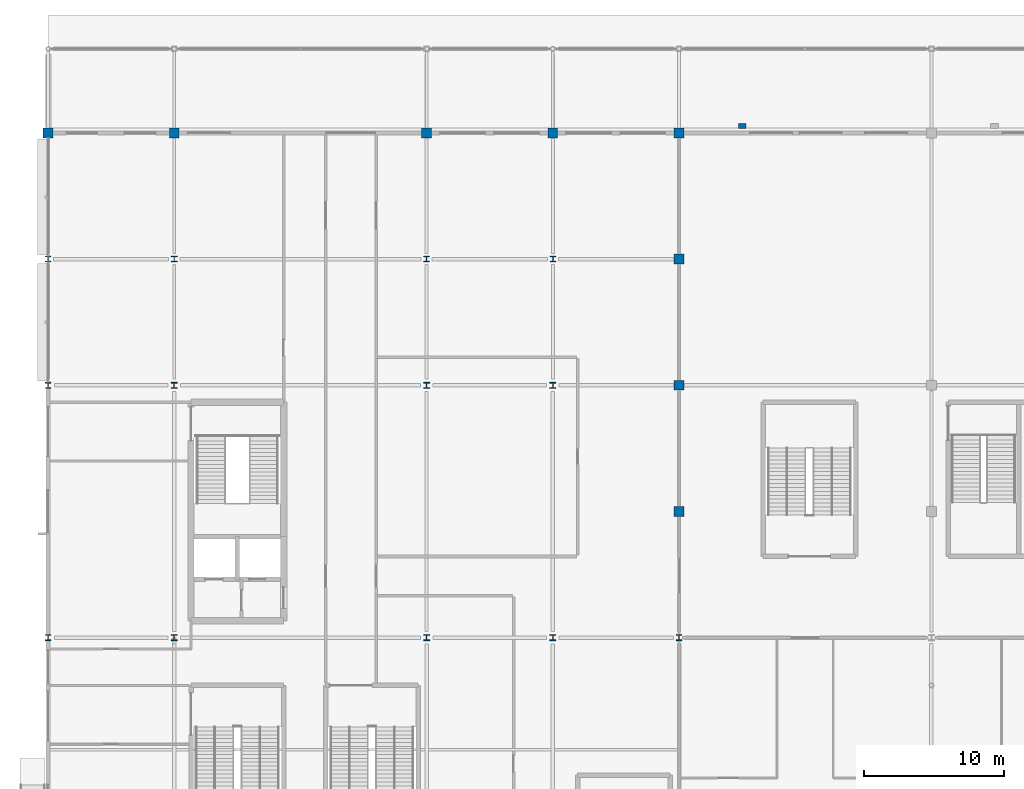
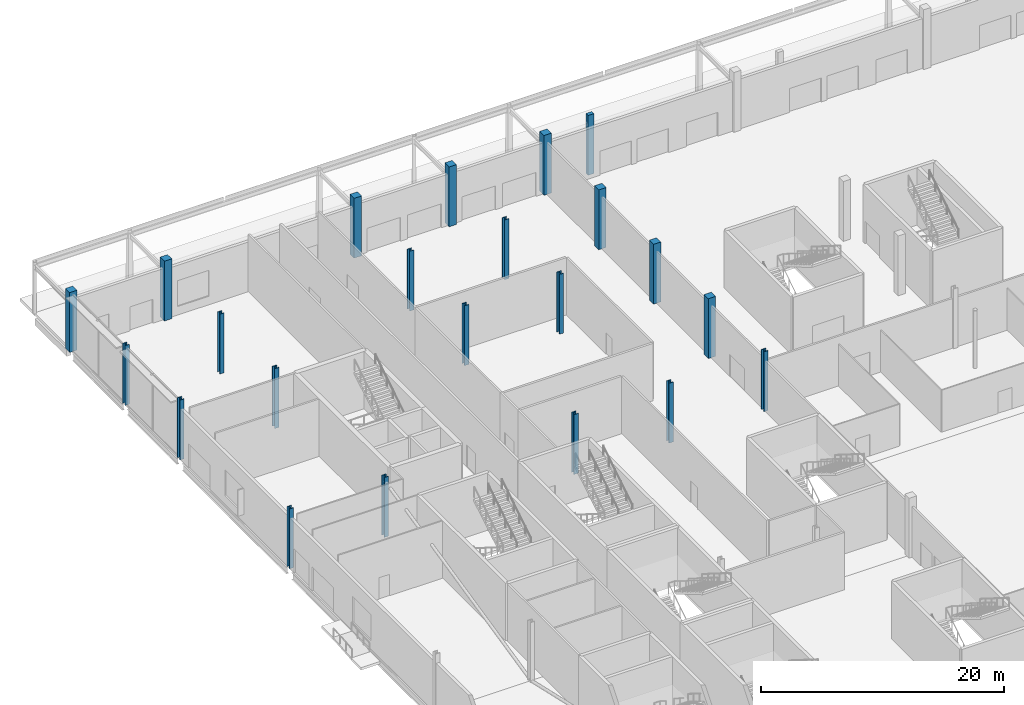
# One storey, part 6 of 84: 22 columns.
"""IFC4 building model written with IfcOpenShell, lengths in metres."""

from ifc_helpers import new_model, si_unit, direction, frame, origin, origin_2d, place, context, subcontext, project, spatial, rectangle, i_section, extrude, material, material_profile, profile_set, type_object, element, save


model = new_model("IFC4")

# Units and contexts
model_context = context("Model", 3, precision=1e-05, world=origin(), true_north=direction((0.0, 1.0)))
body_context = subcontext(model_context, "Body", "Model", "MODEL_VIEW")
ifc_project = project(units=[si_unit("LENGTHUNIT", "METRE"), si_unit("AREAUNIT", "SQUARE_METRE"), si_unit("VOLUMEUNIT", "CUBIC_METRE"), si_unit("PLANEANGLEUNIT", "RADIAN"), si_unit("MASSUNIT", "GRAM", prefix="KILO")], contexts=[model_context])

# Site, building, storey
site_placement = place(None, origin())
site = spatial("IfcSite", under=ifc_project, at=site_placement, CompositionType="ELEMENT")
building_placement = place(site_placement, origin())
building = spatial("IfcBuilding", under=site, at=building_placement, Name="Kisiwana Market Hall", CompositionType="ELEMENT")
storey_placement = place(building_placement, origin())
storey = spatial("IfcBuildingStorey", under=building, at=storey_placement, Name="L00", CompositionType="ELEMENT", Elevation=0.0)

# Columns
ifc_material_1 = material(Name="Concrete C40/50", Category="concrete")
ifc_material_profile_1 = material_profile(ifc_material_1, rectangle(XDim=0.699951171875, YDim=0.699951171875, at=origin_2d()), Name="RC 700x700")
ifc_profile_set_1 = profile_set([ifc_material_profile_1], Name="Concrete C40/50")
column_type_1 = type_object("IfcColumnType", Name="COL-RC-POD-700", PredefinedType="COLUMN", material=ifc_profile_set_1)
for number, where, z_axis, x_axis, name in (
    (1, (0.0, 120.0, 0.0), (0.0, 0.0, 1.0), (1.0, 0.0, 0.0), "Column Q/1 (L00) C-0193"),
    (2, (9.0, 120.0, 0.0), (0.0, 0.0, 1.0), (1.0, 0.0, 0.0), "Column Q/2 (L00) C-0202"),
    (3, (27.0, 120.0, 0.0), (0.0, 0.0, 1.0), (1.0, 0.0, 0.0), "Column Q/4 (L00) C-0212"),
    (4, (36.0, 120.0, 0.0), (0.0, 0.0, 1.0), (1.0, 0.0, 0.0), "Column Q/5 (L00) C-0221"),
    (5, (45.0, 93.0, 0.0), (0.0, 0.0, 1.0), (1.0, 0.0, 0.0), "Column M/6 (L00) C-0230"),
    (6, (45.0, 102.0, 0.0), (0.0, 0.0, 1.0), (1.0, 0.0, 0.0), "Column N/6 (L00) C-0231"),
    (7, (45.0, 111.0, 0.0), (0.0, 0.0, 1.0), (1.0, 0.0, 0.0), "Column P/6 (L00) C-0232"),
    (8, (45.0, 120.0, 0.0), (0.0, 0.0, 1.0), (1.0, 0.0, 0.0), "Column Q/6 (L00) C-0233"),
):
    element("IfcColumn", number, at=place(storey_placement, frame(where, z_axis=z_axis, x_axis=x_axis)), inside=storey, type_object=column_type_1, Name=name, PredefinedType="COLUMN", context=body_context, shape_type="SweptSolid", body=[
        extrude(rectangle(XDim=0.699951171875, YDim=0.699951171875, at=origin_2d()), origin(), (0.0, 0.0, 1.0), 6.0),
    ])
ifc_material_2 = material(Name="Steel S355", Category="steel")
ifc_material_profile_2 = material_profile(ifc_material_2, i_section(OverallWidth=0.412109375, OverallDepth=0.43505859375, WebThickness=0.035888671875, FlangeThickness=0.05810546875, at=origin_2d()), Name="HD 400x463")
ifc_profile_set_2 = profile_set([ifc_material_profile_2], Name="Steel S355")
column_type_2 = type_object("IfcColumnType", Name="COL-STL-HD463", PredefinedType="COLUMN", material=ifc_profile_set_2)
for number, where, z_axis, x_axis, name in (
    (9, (0.0, 84.0, 0.0), (0.0, 0.0, 1.0), (1.0, 0.0, 0.0), "Column L/1 (L00) C-0190"),
    (10, (0.0, 102.0, 0.0), (0.0, 0.0, 1.0), (1.0, 0.0, 0.0), "Column N/1 (L00) C-0191"),
    (11, (9.0, 84.0, 0.0), (0.0, 0.0, 1.0), (1.0, 0.0, 0.0), "Column L/2 (L00) C-0199"),
    (12, (9.0, 102.0, 0.0), (0.0, 0.0, 1.0), (1.0, 0.0, 0.0), "Column N/2 (L00) C-0200"),
    (13, (27.0, 84.0, 0.0), (0.0, 0.0, 1.0), (1.0, 0.0, 0.0), "Column L/4 (L00) C-0209"),
    (14, (27.0, 102.0, 0.0), (0.0, 0.0, 1.0), (1.0, 0.0, 0.0), "Column N/4 (L00) C-0210"),
    (15, (36.0, 84.0, 0.0), (0.0, 0.0, 1.0), (1.0, 0.0, 0.0), "Column L/5 (L00) C-0218"),
    (16, (36.0, 102.0, 0.0), (0.0, 0.0, 1.0), (1.0, 0.0, 0.0), "Column N/5 (L00) C-0219"),
    (17, (45.0, 84.0, 0.0), (0.0, 0.0, 1.0), (1.0, 0.0, 0.0), "Column L/6 (L00) C-0229"),
):
    element("IfcColumn", number, at=place(storey_placement, frame(where, z_axis=z_axis, x_axis=x_axis)), inside=storey, type_object=column_type_2, Name=name, PredefinedType="COLUMN", context=body_context, shape_type="SweptSolid", body=[
        extrude(i_section(OverallWidth=0.412109375, OverallDepth=0.43505859375, WebThickness=0.035888671875, FlangeThickness=0.05810546875, at=origin_2d()), origin(), (0.0, 0.0, 1.0), 6.0),
    ])
ifc_material_3 = material(Name="Steel S355", Category="steel")
ifc_material_profile_3 = material_profile(ifc_material_3, i_section(OverallWidth=0.403076171875, OverallDepth=0.406494140625, WebThickness=0.026611328125, FlangeThickness=0.04296875, at=origin_2d()), Name="UC 356x406x340")
ifc_profile_set_3 = profile_set([ifc_material_profile_3], Name="Steel S355")
column_type_3 = type_object("IfcColumnType", Name="COL-STL-UC340", PredefinedType="COLUMN", material=ifc_profile_set_3)
for number, where, z_axis, x_axis, name in (
    (18, (0.0, 111.0, 0.0), (0.0, 0.0, 1.0), (1.0, 0.0, 0.0), "Column P/1 (L00) C-0192"),
    (19, (9.0, 111.0, 0.0), (0.0, 0.0, 1.0), (1.0, 0.0, 0.0), "Column P/2 (L00) C-0201"),
    (20, (27.0, 111.0, 0.0), (0.0, 0.0, 1.0), (1.0, 0.0, 0.0), "Column P/4 (L00) C-0211"),
    (21, (36.0, 111.0, 0.0), (0.0, 0.0, 1.0), (1.0, 0.0, 0.0), "Column P/5 (L00) C-0220"),
):
    element("IfcColumn", number, at=place(storey_placement, frame(where, z_axis=z_axis, x_axis=x_axis)), inside=storey, type_object=column_type_3, Name=name, PredefinedType="COLUMN", context=body_context, shape_type="SweptSolid", body=[
        extrude(i_section(OverallWidth=0.403076171875, OverallDepth=0.406494140625, WebThickness=0.026611328125, FlangeThickness=0.04296875, at=origin_2d()), origin(), (0.0, 0.0, 1.0), 6.0),
    ])
ifc_material_4 = material(Name="Concrete C40/50", Category="concrete")
ifc_material_profile_4 = material_profile(ifc_material_4, rectangle(XDim=0.550048828125, YDim=0.35009765625, at=origin_2d()), Name="PIL 550x350")
ifc_profile_set_4 = profile_set([ifc_material_profile_4], Name="Concrete C40/50")
column_type_4 = type_object("IfcColumnType", Name="PIL-CONC-550", PredefinedType="PILASTER", material=ifc_profile_set_4)
column_placement = place(storey_placement, frame((49.5, 120.5, 0.0), z_axis=(0.0, 0.0, 1.0), x_axis=(1.0, 0.0, 0.0)))
element("IfcColumn", 22, at=column_placement, inside=storey, type_object=column_type_4, Name="Facade pilaster Q/6 (L00) C-0350", PredefinedType="PILASTER", context=body_context, shape_type="SweptSolid", body=[
    extrude(rectangle(XDim=0.550048828125, YDim=0.35009765625, at=origin_2d()), origin(), (0.0, 0.0, 1.0), 6.0),
])

save(model, "model.ifc")
